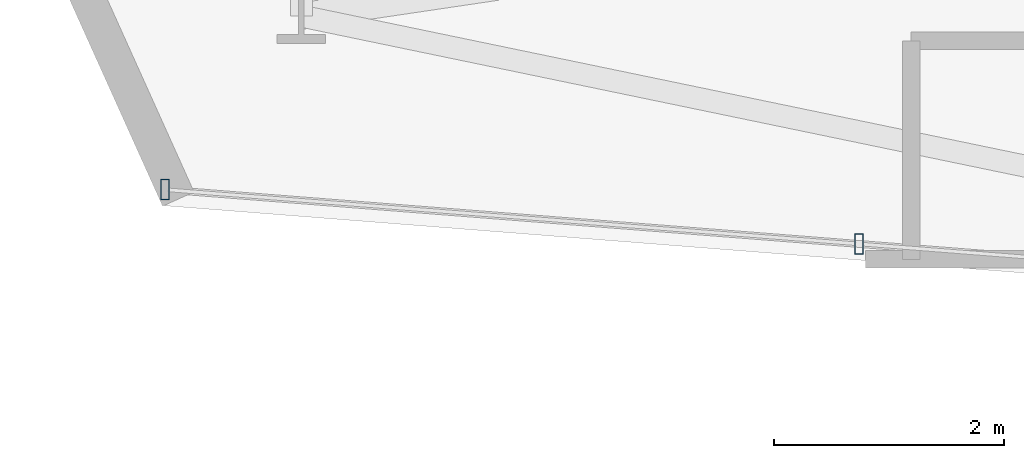
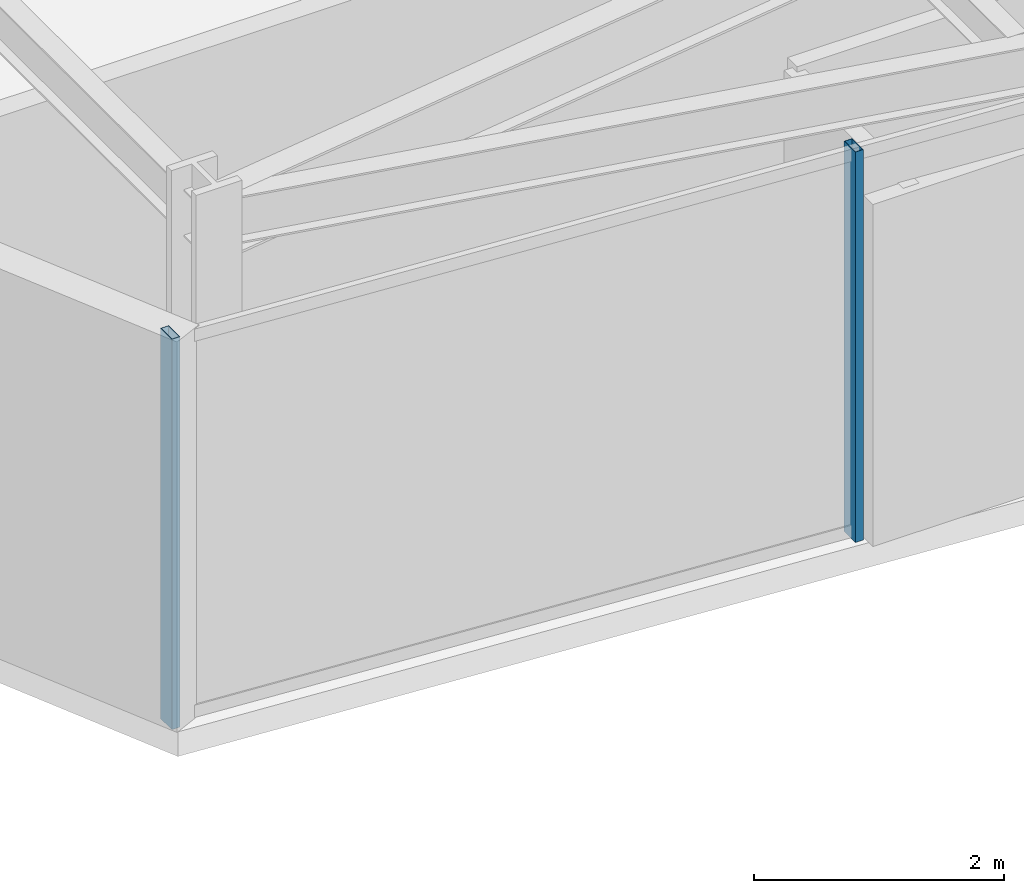
# One storey, part 2 of 29: 2 members, 1 element without a shape of its own.
"""IFC4 building model written with IfcOpenShell, lengths in metres."""

import ifcopenshell
import ifcopenshell.guid

model = None  # the IFC model being written
_history = None  # IfcOwnerHistory: only IFC2X3 demands one
_inside = {}  # id of a spatial element -> (the spatial element, [elements in it])
_under = {}  # id of a project, library or spatial element -> (it, [spatial elements below it])
_declared = {}  # id of a project -> (the project, [libraries it declares])
_typed = {}  # id of a type object -> (the type object, [elements of that type])
_made_of = {}  # id of a material, layer set ... -> (it, [elements and type objects made of it])


def new_model(schema):
    """Start an empty IFC model of exactly this schema.

    Asked for "IFC4X3", IfcOpenShell would pick the latest addendum, in which some entities
    have other attributes; the version numbers below select the first issue.
    IFC2X3 requires an IfcOwnerHistory on every rooted entity: one is made here for all.
    """
    global model, _history
    if schema == "IFC4X3":
        model = ifcopenshell.file(schema_version=(4, 3, 0, 0))
    else:
        model = ifcopenshell.file(schema=schema)
    _inside.clear()
    _under.clear()
    _declared.clear()
    _typed.clear()
    _made_of.clear()
    _history = None
    if model.schema == "IFC2X3":
        org = make("IfcOrganization", Name="unknown")
        user = make(
            "IfcPersonAndOrganization",
            ThePerson=make("IfcPerson", FamilyName="unknown"),
            TheOrganization=org,
        )
        app = make(
            "IfcApplication",
            ApplicationDeveloper=org,
            Version="unknown",
            ApplicationFullName="unknown",
            ApplicationIdentifier="unknown",
        )
        _history = make(
            "IfcOwnerHistory",
            OwningUser=user,
            OwningApplication=app,
            ChangeAction="ADDED",
            CreationDate=0,
        )
    return model


def make(cls, **values):
    """One entity of the class cls with the attributes given. An attribute that is None is left unset."""
    return model.create_entity(
        cls, **{name: value for name, value in values.items() if value is not None}
    )


def rooted(cls, **values):
    """An entity with a GlobalId (a new one), such as an element, a storey or a relation."""
    return make(cls, GlobalId=ifcopenshell.guid.new(), OwnerHistory=_history, **values)


def si_unit(unit_type, name, prefix=None):
    """IfcSIUnit, for example si_unit("LENGTHUNIT", "METRE", prefix="MILLI")."""
    return make("IfcSIUnit", UnitType=unit_type, Prefix=prefix, Name=name)


def assignment(units):
    """IfcUnitAssignment: the units of a project."""
    return None if units is None else make("IfcUnitAssignment", Units=units)


def point(xyz):
    """IfcCartesianPoint."""
    return None if xyz is None else make("IfcCartesianPoint", Coordinates=xyz)


def direction(xyz):
    """IfcDirection."""
    return None if xyz is None else make("IfcDirection", DirectionRatios=xyz)


def frame(location, z_axis=None, x_axis=None):
    """IfcAxis2Placement3D, a coordinate frame: its origin and axes. An axis left out is left unset."""
    return make(
        "IfcAxis2Placement3D",
        Location=point(location),
        Axis=direction(z_axis),
        RefDirection=direction(x_axis),
    )


def frame_2d(location, x_axis=None):
    """IfcAxis2Placement2D, a coordinate frame in the plane: its origin and x axis."""
    return make(
        "IfcAxis2Placement2D", Location=point(location), RefDirection=direction(x_axis)
    )


def origin():
    """The frame at (0, 0, 0) with its axes left unset."""
    return frame((0.0, 0.0, 0.0))


def origin_2d():
    """The frame at (0, 0) in the plane with its x axis left unset."""
    return frame_2d((0.0, 0.0))


def place(relative_to, where):
    """IfcLocalPlacement: puts the frame where relative to a parent placement (None: the world)."""
    return make(
        "IfcLocalPlacement", PlacementRelTo=relative_to, RelativePlacement=where
    )


def context(
    kind, dimensions, precision=None, world=None, true_north=None, identifier=None
):
    """IfcGeometricRepresentationContext, for example the 3D "Model" context."""
    return make(
        "IfcGeometricRepresentationContext",
        ContextIdentifier=identifier,
        ContextType=kind,
        CoordinateSpaceDimension=dimensions,
        Precision=precision,
        WorldCoordinateSystem=world,
        TrueNorth=true_north,
    )


def subcontext(parent, identifier, kind, view, scale=None):
    """IfcGeometricRepresentationSubContext, for example "Body" below "Model"."""
    return make(
        "IfcGeometricRepresentationSubContext",
        ContextIdentifier=identifier,
        ContextType=kind,
        ParentContext=parent,
        TargetScale=scale,
        TargetView=view,
    )


def project(units=None, contexts=None):
    """IfcProject with its units and contexts."""
    return rooted(
        "IfcProject",
        Name="project",
        RepresentationContexts=contexts,
        UnitsInContext=assignment(units),
    )


def spatial(cls, under=None, at=None, **own):
    """A site, building, storey or space (cls), placed at a placement, below another one or the project."""
    s = rooted(cls, ObjectPlacement=at, **own)
    if under is not None:
        _under.setdefault(under.id(), (under, []))[1].append(s)
    return s


def profile(cls, at=None, kind="AREA", **sizes):
    """A parametric profile (cls). Its sizes go by their IFC names, for example OverallWidth=200.0."""
    return make(cls, ProfileType=kind, Position=at, **sizes)


def hollow_rectangle(**sizes):
    """IfcRectangleHollowProfileDef."""
    return profile("IfcRectangleHollowProfileDef", **sizes)


def extrude(swept, where, along, depth):
    """IfcExtrudedAreaSolid: the profile swept, set in the frame where, extruded along a direction by depth."""
    return make(
        "IfcExtrudedAreaSolid",
        SweptArea=swept,
        Position=where,
        ExtrudedDirection=direction(along),
        Depth=depth,
    )


def shape(context_of_items, identifier, shape_type, items):
    """IfcShapeRepresentation: the items that make up one representation, for example the "Body"."""
    return make(
        "IfcShapeRepresentation",
        ContextOfItems=context_of_items,
        RepresentationIdentifier=identifier,
        RepresentationType=shape_type,
        Items=items,
    )


def material(Name=None, Category=None):
    """IfcMaterial."""
    return make("IfcMaterial", Name=Name, Category=Category)


def layer(
    of_material, thickness, ventilated=None, Name=None, Category=None, Priority=None
):
    """IfcMaterialLayer: one layer of a wall or slab, of a material (None: an air gap)."""
    return make(
        "IfcMaterialLayer",
        Material=of_material,
        LayerThickness=thickness,
        IsVentilated=ventilated,
        Name=Name,
        Category=Category,
        Priority=Priority,
    )


def layer_set(layers, Name=None):
    """IfcMaterialLayerSet."""
    return make("IfcMaterialLayerSet", MaterialLayers=layers, LayerSetName=Name)


def material_profile(
    of_material, cross_section, Name=None, Category=None, Priority=None
):
    """IfcMaterialProfile: a cross section and its material."""
    return make(
        "IfcMaterialProfile",
        Name=Name,
        Material=of_material,
        Profile=cross_section,
        Priority=Priority,
        Category=Category,
    )


def profile_set(profiles, Name=None, composite=None):
    """IfcMaterialProfileSet."""
    return make(
        "IfcMaterialProfileSet",
        Name=Name,
        MaterialProfiles=profiles,
        CompositeProfile=composite,
    )


def made_of(thing, what):
    """Note that an element or type object is made of a material, layer set ...; save() writes the relation."""
    if what is not None:
        _made_of.setdefault(what.id(), (what, []))[1].append(thing)
    return thing


def type_object(cls, material=None, **own):
    """A type object (cls), such as IfcWallType, which elements share."""
    return made_of(rooted(cls, **own), material)


def element(
    cls,
    number,
    at=None,
    inside=None,
    cuts=None,
    type_object=None,
    material=None,
    context=None,
    identifier="Body",
    shape_type=None,
    held_by="IfcProductDefinitionShape",
    body=None,
    shapes=None,
    **own,
):
    """One element of the class cls, such as IfcWall. Its Tag is "e" and its number.

    at: its placement. inside: the storey or other place that contains it. cuts: it is an
    opening in that element (IfcRelVoidsElement). A single representation is given by context,
    identifier, shape_type and body (its items); several are given by shapes. held_by: the class
    of the entity that holds the representations. save() writes the other relations.
    """
    e = rooted(cls, Tag="e%d" % number, ObjectPlacement=at, **own)
    if body is not None:
        shapes = [shape(context, identifier, shape_type, body)]
    if shapes is not None:
        e.Representation = make(held_by, Representations=shapes)
    if inside is not None:
        _inside.setdefault(inside.id(), (inside, []))[1].append(e)
    if cuts is not None:
        rooted(
            "IfcRelVoidsElement", RelatingBuildingElement=cuts, RelatedOpeningElement=e
        )
    if type_object is not None:
        _typed.setdefault(type_object.id(), (type_object, []))[1].append(e)
    return made_of(e, material)


def aggregate(whole, parts):
    """IfcRelAggregates: a whole, such as a stair, and the parts it consists of."""
    return rooted("IfcRelAggregates", RelatingObject=whole, RelatedObjects=parts)


def save(model, path):
    """Write the relations noted so far, then the file.

    IfcRelAggregates (storeys below a building ...), IfcRelContainedInSpatialStructure (elements
    in a storey), IfcRelDefinesByType, IfcRelAssociatesMaterial and IfcRelDeclares: one each for
    every whole, place, type object, material and project.
    """
    for whole, parts in _under.values():
        aggregate(whole, parts)
    for where, things in _inside.values():
        rooted(
            "IfcRelContainedInSpatialStructure",
            RelatedElements=things,
            RelatingStructure=where,
        )
    for kind, things in _typed.values():
        rooted("IfcRelDefinesByType", RelatedObjects=things, RelatingType=kind)
    for what, things in _made_of.values():
        rooted("IfcRelAssociatesMaterial", RelatedObjects=things, RelatingMaterial=what)
    for by, libraries in _declared.values():
        rooted("IfcRelDeclares", RelatingContext=by, RelatedDefinitions=libraries)
    model.write(path)


model = new_model("IFC4")

# Units and contexts
model_context = context("Model", 3, precision=1e-05, world=origin(), true_north=direction((0.0, 1.0)))
body_context = subcontext(model_context, "Body", "Model", "MODEL_VIEW")
ifc_project = project(units=[si_unit("LENGTHUNIT", "METRE"), si_unit("AREAUNIT", "SQUARE_METRE"), si_unit("VOLUMEUNIT", "CUBIC_METRE"), si_unit("PLANEANGLEUNIT", "RADIAN"), si_unit("MASSUNIT", "GRAM", prefix="KILO")], contexts=[model_context])

# Site, building, storey
site_placement = place(None, origin())
site = spatial("IfcSite", under=ifc_project, at=site_placement, CompositionType="ELEMENT")
building_placement = place(site_placement, origin())
building = spatial("IfcBuilding", under=site, at=building_placement, Name="Veymaron Broadcast Tower", CompositionType="ELEMENT")
storey_placement = place(building_placement, frame((0.0, 0.0, 62.10009765625)))
storey = spatial("IfcBuildingStorey", under=building, at=storey_placement, Name="L13", CompositionType="ELEMENT", Elevation=62.10009765625)

# Curtain wall, members
ifc_material_1 = material(Name="Anodised aluminium AA 6063-T6 and laminated low-E dark glass", Category="aluminium")
ifc_layer = layer(ifc_material_1, 0.179931640625)
ifc_layer_set = layer_set([ifc_layer], Name="Anodised aluminium AA 6063-T6 and laminated low-E dark glass")
curtain_wall_type = type_object("IfcCurtainWallType", Name="CW-SYS-02", PredefinedType="NOTDEFINED", material=ifc_layer_set)
curtain_wall_placement = place(storey_placement, origin())
curtain_wall = element("IfcCurtainWall", 1, at=curtain_wall_placement, inside=storey, type_object=curtain_wall_type, Name="L13 dark-glass curtain wall CW-L13-E14-1", PredefinedType="NOTDEFINED")
ifc_material_2 = material(Name="Anodised aluminium AA 6063-T6", Category="aluminium")
ifc_material_profile = material_profile(ifc_material_2, hollow_rectangle(XDim=0.074951171875, YDim=0.179931640625, WallThickness=0.0048828125, at=origin_2d()), Name="AL180X75X5")
ifc_profile_set = profile_set([ifc_material_profile], Name="Anodised aluminium AA 6063-T6")
member_type = type_object("IfcMemberType", Name="CW-MUL-02", PredefinedType="MULLION", material=ifc_profile_set)
member_1_placement = place(storey_placement, frame((7.510986328125, 19.15625, 0.0), z_axis=(0.0, 0.0, 1.0), x_axis=(1.0, 0.0, 0.0)))
member_1 = element("IfcMember", 2, at=member_1_placement, type_object=member_type, Name="CW-L13-E14-1 mullion 0", PredefinedType="MULLION", context=body_context, shape_type="SweptSolid", body=[
    extrude(hollow_rectangle(XDim=0.074951171875, YDim=0.179931640625, WallThickness=0.0048828125, at=origin_2d()), origin(), (0.0, 0.0, 1.0), 3.809814453125),
])
member_2_placement = place(storey_placement, frame((13.546875, 18.683837890625, 0.0), z_axis=(0.0, 0.0, 1.0), x_axis=(1.0, 0.0, 0.0)))
member_2 = element("IfcMember", 3, at=member_2_placement, type_object=member_type, Name="CW-L13-E14-1 mullion 1", PredefinedType="MULLION", context=body_context, shape_type="SweptSolid", body=[
    extrude(hollow_rectangle(XDim=0.074951171875, YDim=0.179931640625, WallThickness=0.0048828125, at=origin_2d()), origin(), (0.0, 0.0, 1.0), 3.809814453125),
])
aggregate(curtain_wall, [member_1, member_2])

save(model, "model.ifc")
